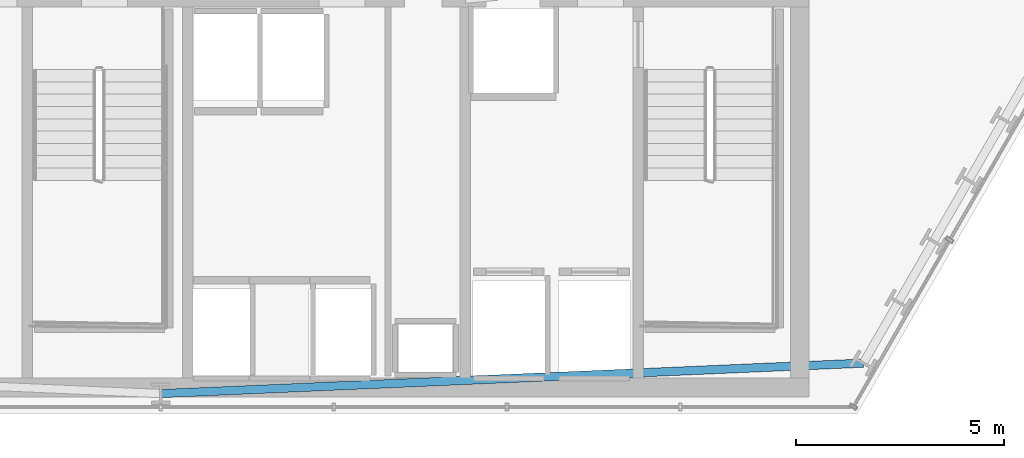
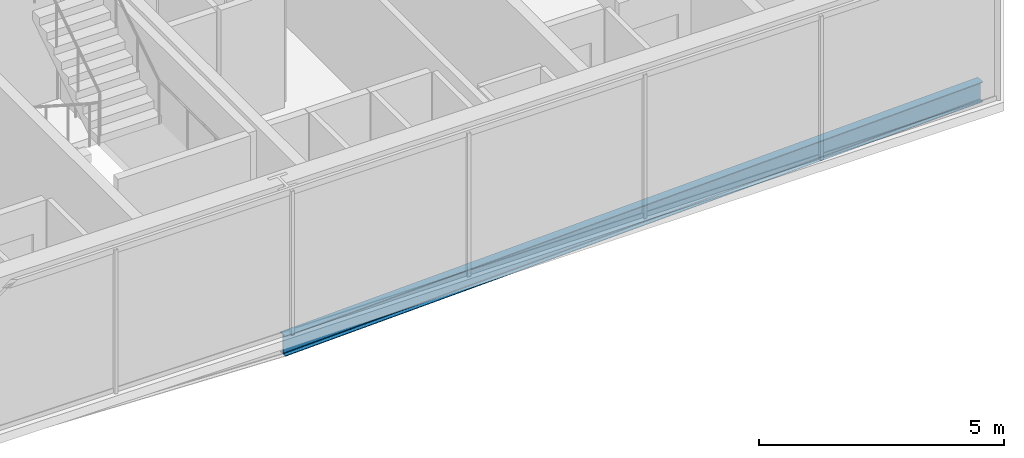
# One storey, part 10 of 32: 1 beam.
"""IFC4 building model written with IfcOpenShell, lengths in metres."""

from ifc_helpers import new_model, si_unit, direction, frame, origin, origin_2d, place, context, subcontext, project, spatial, i_section, extrude, material, material_profile, profile_set, type_object, element, save


model = new_model("IFC4")

# Units and contexts
model_context = context("Model", 3, precision=1e-05, world=origin(), true_north=direction((0.0, 1.0)))
body_context = subcontext(model_context, "Body", "Model", "MODEL_VIEW")
ifc_project = project(units=[si_unit("LENGTHUNIT", "METRE"), si_unit("AREAUNIT", "SQUARE_METRE"), si_unit("VOLUMEUNIT", "CUBIC_METRE"), si_unit("PLANEANGLEUNIT", "RADIAN"), si_unit("MASSUNIT", "GRAM", prefix="KILO")], contexts=[model_context])

# Site, building, storey
site_placement = place(None, origin())
site = spatial("IfcSite", under=ifc_project, at=site_placement, CompositionType="ELEMENT")
building_placement = place(site_placement, origin())
building = spatial("IfcBuilding", under=site, at=building_placement, Name="Ndaravel Arena Tower", CompositionType="ELEMENT")
storey_placement = place(building_placement, frame((0.0, 0.0, 93.0)))
storey = spatial("IfcBuildingStorey", under=building, at=storey_placement, Name="L21", CompositionType="ELEMENT", Elevation=93.0)

# Beam
ifc_material = material(Name="Steel S355", Category="steel")
ifc_material_profile = material_profile(ifc_material, i_section(OverallWidth=0.199951171875, OverallDepth=0.5, WebThickness=0.01025390625, FlangeThickness=0.01611328125, FilletRadius=0.02099609375, at=origin_2d()), Name="IPE 500")
ifc_profile_set = profile_set([ifc_material_profile], Name="Steel S355")
beam_type = type_object("IfcBeamType", Name="BM-SPAN-IPE500", PredefinedType="SPANDREL", material=ifc_profile_set)
beam_placement = place(storey_placement, frame((42.0, 5.47998046875, -0.469970703125), z_axis=(0.999062811126, 0.043283939567, 0.0), x_axis=(-0.043283939567, 0.999062811126, 0.0)))
element("IfcBeam", 1, at=beam_placement, inside=storey, type_object=beam_type, Name="L21 Perimeter Spandrel Beam SP-01", PredefinedType="SPANDREL", context=body_context, shape_type="SweptSolid", body=[
    extrude(i_section(OverallWidth=0.199951171875, OverallDepth=0.5, WebThickness=0.01025390625, FlangeThickness=0.01611328125, FilletRadius=0.02099609375, at=origin_2d()), origin(), (0.0, 0.0, 1.0), 16.864990234375),
])

save(model, "model.ifc")
